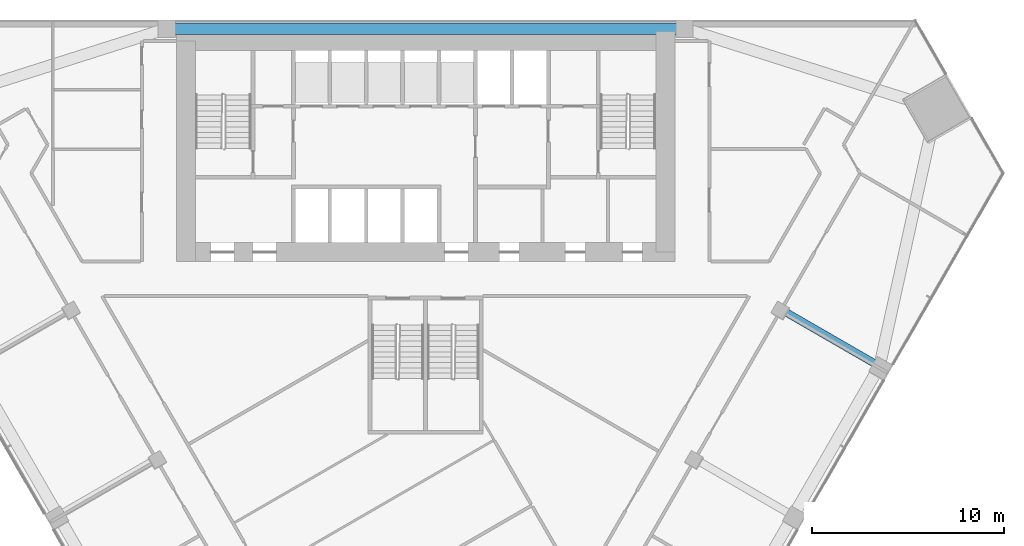
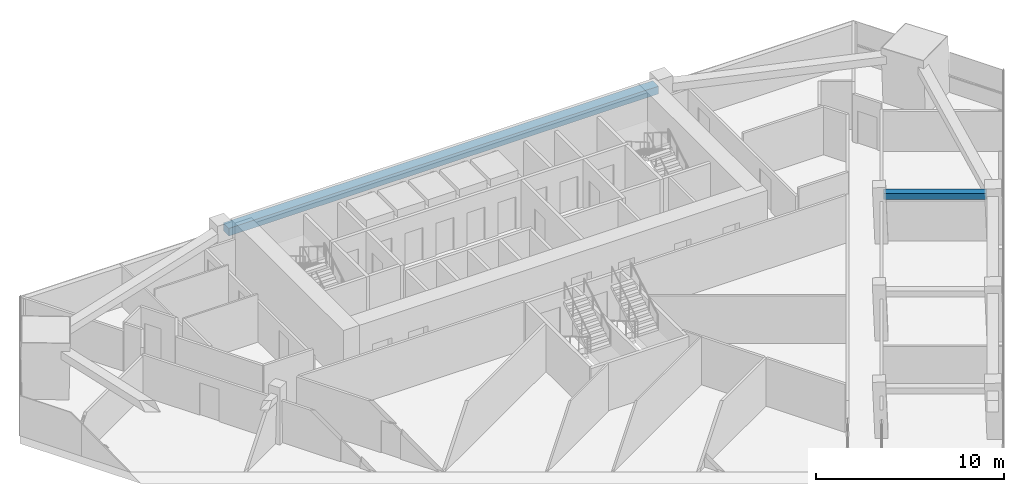
# One storey, part 6 of 14: 2 beams.
"""IFC4 building model written with IfcOpenShell, lengths in metres."""

from ifc_helpers import new_model, si_unit, direction, frame, origin, origin_2d, place, context, subcontext, project, spatial, rectangle, extrude, material, material_profile, profile_set, type_object, element, save


model = new_model("IFC4")

# Units and contexts
model_context = context("Model", 3, precision=1e-05, world=origin(), true_north=direction((0.0, 1.0)))
body_context = subcontext(model_context, "Body", "Model", "MODEL_VIEW")
ifc_project = project(units=[si_unit("LENGTHUNIT", "METRE"), si_unit("AREAUNIT", "SQUARE_METRE"), si_unit("VOLUMEUNIT", "CUBIC_METRE"), si_unit("PLANEANGLEUNIT", "RADIAN"), si_unit("MASSUNIT", "GRAM", prefix="KILO")], contexts=[model_context])

# Site, building, storey
site_placement = place(None, origin())
site = spatial("IfcSite", under=ifc_project, at=site_placement, CompositionType="ELEMENT")
building_placement = place(site_placement, origin())
building = spatial("IfcBuilding", under=site, at=building_placement, Name="Altiplano Prism Tower", CompositionType="ELEMENT")
storey_placement = place(building_placement, frame((0.0, 0.0, 63.0)))
storey = spatial("IfcBuildingStorey", under=building, at=storey_placement, Name="L15", CompositionType="ELEMENT", Elevation=63.0)

# Beams
ifc_material = material(Name="Concrete C60/75", Category="concrete")
ifc_material_profile_1 = material_profile(ifc_material, rectangle(XDim=0.60009765625, YDim=0.5, at=origin_2d()), Name="Edge beam 600x500")
ifc_profile_set_1 = profile_set([ifc_material_profile_1], Name="Concrete C60/75")
beam_type_1 = type_object("IfcBeamType", Name="Edge beam 600x500", PredefinedType="SPANDREL", material=ifc_profile_set_1)
beam_1_placement = place(storey_placement, frame((98.169921875, 104.550048828125, 2.85009765625), z_axis=(-1.0, 0.0, 0.0), x_axis=(0.0, -1.0, 0.0)))
element("IfcBeam", 1, at=beam_1_placement, inside=storey, type_object=beam_type_1, Name="Edge beam P01-P04 L16", PredefinedType="SPANDREL", context=body_context, shape_type="SweptSolid", body=[
    extrude(rectangle(XDim=0.60009765625, YDim=0.5, at=origin_2d()), origin(), (0.0, 0.0, 1.0), 26.33984375),
])
ifc_material_profile_2 = material_profile(ifc_material, rectangle(XDim=0.39990234375, YDim=0.39990234375, at=origin_2d()), Name="Tie beam 400x400")
ifc_profile_set_2 = profile_set([ifc_material_profile_2], Name="Concrete C60/75")
beam_type_2 = type_object("IfcBeamType", Name="Tie beam 400x400", PredefinedType="BEAM", material=ifc_profile_set_2)
beam_2_placement = place(storey_placement, frame((103.626708984375, 89.850341796875, 2.89990234375), z_axis=(0.866031549307, -0.499989355492, 0.0), x_axis=(0.499989355492, 0.866031549307, 0.0)))
element("IfcBeam", 2, at=beam_2_placement, inside=storey, type_object=beam_type_2, Name="Tie beam I24 L16", PredefinedType="BEAM", context=body_context, shape_type="SweptSolid", body=[
    extrude(rectangle(XDim=0.39990234375, YDim=0.39990234375, at=origin_2d()), origin(), (0.0, 0.0, 1.0), 5.48974609375),
])

save(model, "model.ifc")
